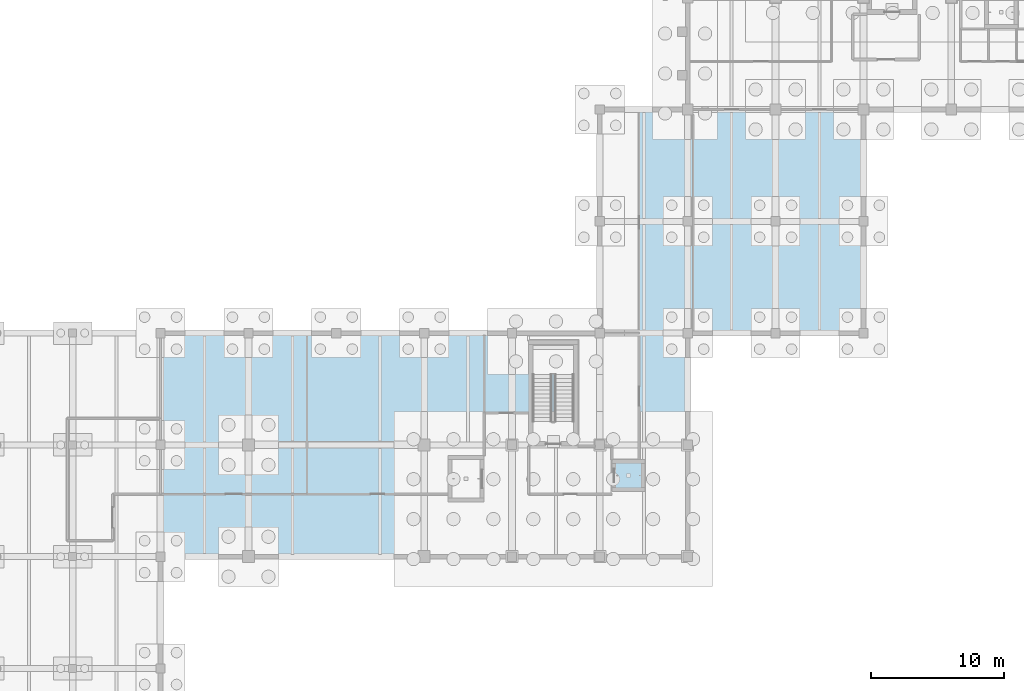
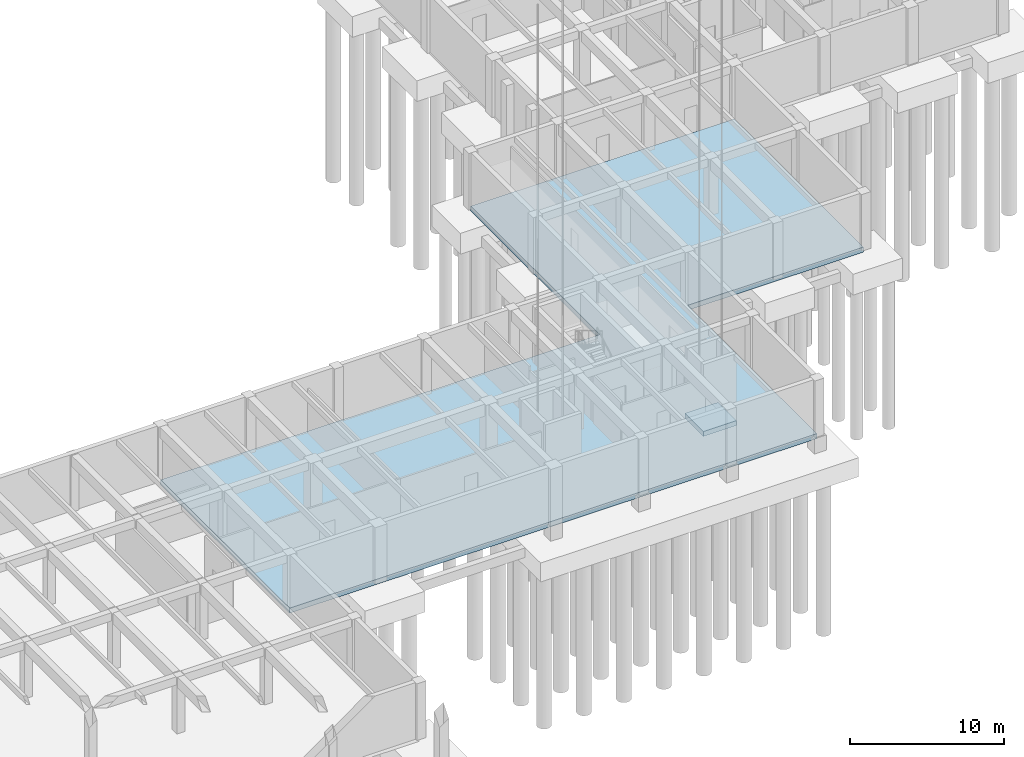
# One storey, part 17 of 44: 2 slabs.
"""IFC4 building model written with IfcOpenShell, lengths in metres."""

from ifc_helpers import new_model, si_unit, direction, frame, origin, place, context, subcontext, project, spatial, polyline, outline, extrude, material, layer, layer_set, type_object, element, save


model = new_model("IFC4")

# Units and contexts
model_context = context("Model", 3, precision=1e-05, world=origin(), true_north=direction((0.0, 1.0)))
body_context = subcontext(model_context, "Body", "Model", "MODEL_VIEW")
ifc_project = project(units=[si_unit("LENGTHUNIT", "METRE"), si_unit("AREAUNIT", "SQUARE_METRE"), si_unit("VOLUMEUNIT", "CUBIC_METRE"), si_unit("PLANEANGLEUNIT", "RADIAN"), si_unit("MASSUNIT", "GRAM", prefix="KILO")], contexts=[model_context])

# Site, building, storey
site_placement = place(None, origin())
site = spatial("IfcSite", under=ifc_project, at=site_placement, CompositionType="ELEMENT")
building_placement = place(site_placement, origin())
building = spatial("IfcBuilding", under=site, at=building_placement, Name="Kolvaren Faculty of Natural Sciences", CompositionType="ELEMENT")
storey_placement = place(building_placement, frame((0.0, 0.0, -4.5)))
storey = spatial("IfcBuildingStorey", under=building, at=storey_placement, Name="B01", CompositionType="ELEMENT", Elevation=-4.5)

# Slabs
ifc_material = material(Name="Concrete C35/45", Category="concrete")
ifc_layer_1 = layer(ifc_material, 0.39990234375)
ifc_layer_set_1 = layer_set([ifc_layer_1], Name="Concrete C35/45")
slab_type_1 = type_object("IfcSlabType", Name="BaseSlab_400", PredefinedType="BASESLAB", material=ifc_layer_set_1)
slab_1_placement = place(storey_placement, frame((0.0, 0.0, -0.39990234375)))
element("IfcSlab", 1, at=slab_1_placement, inside=storey, type_object=slab_type_1, Name="B01 V5 structural slab 1", PredefinedType="BASESLAB", context=body_context, shape_type="SweptSolid", body=[
    extrude(outline(polyline([(138.800048828125, 25.39990234375), (99.199951171875, 25.39990234375), (99.199951171875, 42.199951171875), (132.199951171875, 42.199951171875), (132.199951171875, 59.0), (152.0, 59.0), (152.0, 42.199951171875), (138.800048828125, 42.199951171875), (138.800048828125, 25.39990234375)])), origin(), (0.0, 0.0, 1.0), 0.39990234375),
])
ifc_layer_2 = layer(ifc_material, 0.3798828125)
ifc_layer_set_2 = layer_set([ifc_layer_2], Name="Concrete C35/45")
slab_type_2 = type_object("IfcSlabType", Name="LiftPitSlab_380", PredefinedType="BASESLAB", material=ifc_layer_set_2)
slab_2_placement = place(storey_placement, frame((0.0, 0.0, -1.199951171875)))
element("IfcSlab", 2, at=slab_2_placement, inside=storey, type_object=slab_type_2, Name="Lift PL-3 reinforced concrete pit base slab", PredefinedType="BASESLAB", context=body_context, shape_type="SweptSolid", body=[
    extrude(outline(polyline([(133.10009765625, 30.300048828125), (135.60009765625, 30.300048828125), (135.60009765625, 32.699951171875), (133.10009765625, 32.699951171875), (133.10009765625, 30.300048828125)])), origin(), (0.0, 0.0, 1.0), 0.3798828125),
])

save(model, "model.ifc")
